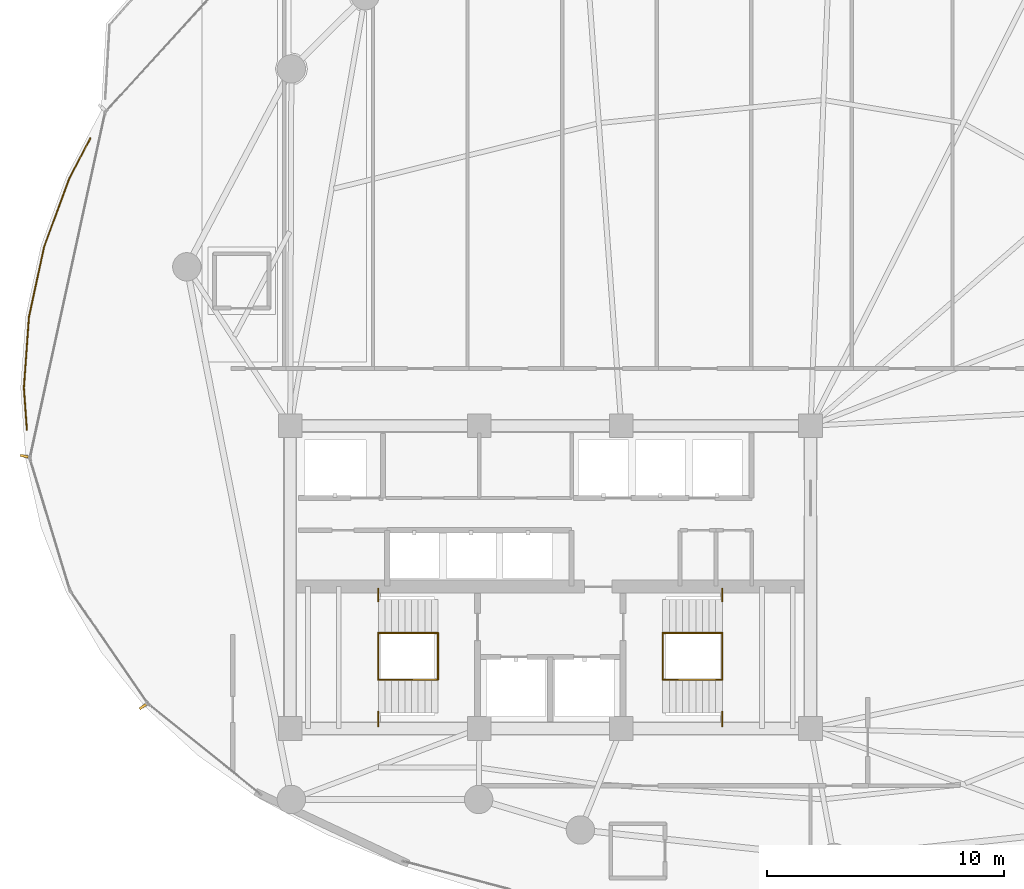
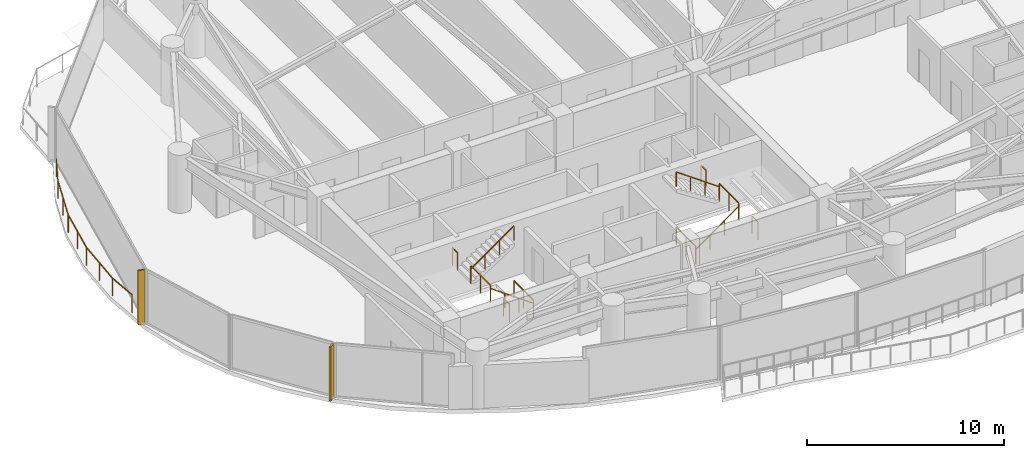
# One storey, part 31 of 34: 13 railings, 2 shading devices.
"""IFC4 building model written with IfcOpenShell, lengths in metres."""

from ifc_helpers import new_model, si_unit, direction, frame, origin, origin_2d, place, context, subcontext, project, spatial, rectangle, extrude, material, type_object, element, save


model = new_model("IFC4")

# Units and contexts
model_context = context("Model", 3, precision=1e-05, world=origin(), true_north=direction((0.0, 1.0)))
body_context = subcontext(model_context, "Body", "Model", "MODEL_VIEW")
ifc_project = project(units=[si_unit("LENGTHUNIT", "METRE"), si_unit("AREAUNIT", "SQUARE_METRE"), si_unit("VOLUMEUNIT", "CUBIC_METRE"), si_unit("PLANEANGLEUNIT", "RADIAN"), si_unit("MASSUNIT", "GRAM", prefix="KILO")], contexts=[model_context])

# Site, building, storey
site_placement = place(None, origin())
site = spatial("IfcSite", under=ifc_project, at=site_placement, CompositionType="ELEMENT")
building_placement = place(site_placement, origin())
building = spatial("IfcBuilding", under=site, at=building_placement, Name="Kazevale Care Tower and Concert Hall", CompositionType="ELEMENT")
storey_placement = place(building_placement, frame((0.0, 0.0, 160.199951171875)))
storey = spatial("IfcBuildingStorey", under=building, at=storey_placement, Name="L42", CompositionType="ELEMENT", Elevation=160.199951171875)

# Railings
ifc_material_1 = material(Name="Anodised Bronze Aluminium and Laminated Glass", Category="aluminium")
railing_type_1 = type_object("IfcRailingType", Name="Balcony and Terrace Balustrade 1120", PredefinedType="BALUSTRADE", material=ifc_material_1)
railing_1_placement = place(storey_placement, frame((10.867919921875, 36.22705078125, 0.0)))
element("IfcRailing", 1, at=railing_1_placement, inside=storey, type_object=railing_type_1, Name="rail:L42:perim:1", PredefinedType="BALUSTRADE", context=body_context, shape_type="SweptSolid", body=[
    extrude(rectangle(XDim=0.048095703125, YDim=0.048095703125, at=origin_2d()), frame((0.0, 0.0, 1.09619140625), z_axis=(-0.071969318028, 0.997406846409, 0.0), x_axis=(-0.997406846409, -0.071969318028, 0.0)), (0.0, 0.0, 1.0), 1.777587890625),
    extrude(rectangle(XDim=0.048095703125, YDim=0.048095703125, at=origin_2d()), frame((-0.1279296875, 1.77294921875, 1.09619140625), z_axis=(0.071442989214, 0.997444684828, 0.0), x_axis=(-0.997444684828, 0.071442989214, 0.0)), (0.0, 0.0, 1.0), 3.0107421875),
    extrude(rectangle(XDim=0.048095703125, YDim=0.048095703125, at=origin_2d()), frame((0.087158203125, 4.77587890625, 1.09619140625), z_axis=(0.211501042265, 0.97737777196, 0.0), x_axis=(-0.97737777196, 0.211501042265, 0.0)), (0.0, 0.0, 1.0), 3.03466796875),
    extrude(rectangle(XDim=0.048095703125, YDim=0.048095703125, at=origin_2d()), frame((0.72900390625, 7.741943359375, 1.09619140625), z_axis=(0.344808910619, 0.938672901046, 0.0), x_axis=(-0.938672901046, 0.344808910619, 0.0)), (0.0, 0.0, 1.0), 3.080078125),
    extrude(rectangle(XDim=0.048095703125, YDim=0.048095703125, at=origin_2d()), frame((1.791015625, 10.633056640625, 1.09619140625), z_axis=(0.466764151967, 0.884381832942, 0.0), x_axis=(-0.884381832942, 0.466764151967, 0.0)), (0.0, 0.0, 1.0), 1.91748046875),
    extrude(rectangle(XDim=0.0419921875, YDim=0.0419921875, at=origin_2d()), origin(), (0.0, 0.0, 1.0), 1.072021484375),
    extrude(rectangle(XDim=0.0419921875, YDim=0.0419921875, at=origin_2d()), frame((-0.1279296875, 1.77294921875, 0.0)), (0.0, 0.0, 1.0), 1.072021484375),
    extrude(rectangle(XDim=0.0419921875, YDim=0.0419921875, at=origin_2d()), frame((-0.0205078125, 3.2744140625, 0.0)), (0.0, 0.0, 1.0), 1.072021484375),
    extrude(rectangle(XDim=0.0419921875, YDim=0.0419921875, at=origin_2d()), frame((0.087158203125, 4.77587890625, 0.0)), (0.0, 0.0, 1.0), 1.072021484375),
    extrude(rectangle(XDim=0.0419921875, YDim=0.0419921875, at=origin_2d()), frame((0.408203125, 6.2587890625, 0.0)), (0.0, 0.0, 1.0), 1.072021484375),
    extrude(rectangle(XDim=0.0419921875, YDim=0.0419921875, at=origin_2d()), frame((0.72900390625, 7.741943359375, 0.0)), (0.0, 0.0, 1.0), 1.072021484375),
    extrude(rectangle(XDim=0.0419921875, YDim=0.0419921875, at=origin_2d()), frame((1.260009765625, 9.1875, 0.0)), (0.0, 0.0, 1.0), 1.072021484375),
    extrude(rectangle(XDim=0.0419921875, YDim=0.0419921875, at=origin_2d()), frame((1.791015625, 10.633056640625, 0.0)), (0.0, 0.0, 1.0), 1.072021484375),
    extrude(rectangle(XDim=0.0419921875, YDim=0.0419921875, at=origin_2d()), frame((2.68603515625, 12.328857421875, 0.0)), (0.0, 0.0, 1.0), 1.072021484375),
])
ifc_material_2 = material(Name="Stainless Steel 316", Category="steel")
railing_type_2 = type_object("IfcRailingType", Name="Stair Pitch Handrail 920", PredefinedType="HANDRAIL", material=ifc_material_2)
railing_2_placement = place(storey_placement, frame((28.25, 25.659912109375, 0.0)))
element("IfcRailing", 2, at=railing_2_placement, inside=storey, type_object=railing_type_2, Name="stair:L42:ST1:hr1", PredefinedType="HANDRAIL", context=body_context, shape_type="SweptSolid", body=[
    extrude(rectangle(XDim=0.048095703125, YDim=0.048095703125, at=origin_2d()), frame((0.0, 0.0, 0.89599609375), z_axis=(-0.813728144527, 0.0, 0.581245650998), x_axis=(0.0, -1.0, 0.0)), (0.0, 0.0, 1.0), 3.096923828125),
    extrude(rectangle(XDim=0.0419921875, YDim=0.0419921875, at=origin_2d()), origin(), (0.0, 0.0, 1.0), 0.871826171875),
    extrude(rectangle(XDim=0.0419921875, YDim=0.0419921875, at=origin_2d()), frame((-0.840087890625, 0.0, 0.60009765625)), (0.0, 0.0, 1.0), 0.871826171875),
    extrude(rectangle(XDim=0.0419921875, YDim=0.0419921875, at=origin_2d()), frame((-1.679931640625, 0.0, 1.199951171875)), (0.0, 0.0, 1.0), 0.871826171875),
    extrude(rectangle(XDim=0.0419921875, YDim=0.0419921875, at=origin_2d()), frame((-2.52001953125, 0.0, 1.800048828125)), (0.0, 0.0, 1.0), 0.871826171875),
])
for number, where, name in (
    (3, (25.72998046875, 27.639892578125, 1.800048828125), "stair:L42:ST1:hr2"),
    (4, (37.75, 25.659912109375, 0.0), "stair:L42:ST2:hr1"),
):
    element("IfcRailing", number, at=place(storey_placement, frame(where)), inside=storey, type_object=railing_type_2, Name=name, PredefinedType="HANDRAIL", context=body_context, shape_type="SweptSolid", body=[
        extrude(rectangle(XDim=0.048095703125, YDim=0.048095703125, at=origin_2d()), frame((0.0, 0.0, 0.89599609375), z_axis=(0.813728144527, 0.0, 0.581245650998), x_axis=(0.0, 1.0, 0.0)), (0.0, 0.0, 1.0), 3.096923828125),
        extrude(rectangle(XDim=0.0419921875, YDim=0.0419921875, at=origin_2d()), origin(), (0.0, 0.0, 1.0), 0.871826171875),
        extrude(rectangle(XDim=0.0419921875, YDim=0.0419921875, at=origin_2d()), frame((0.840087890625, 0.0, 0.60009765625)), (0.0, 0.0, 1.0), 0.871826171875),
        extrude(rectangle(XDim=0.0419921875, YDim=0.0419921875, at=origin_2d()), frame((1.679931640625, 0.0, 1.199951171875)), (0.0, 0.0, 1.0), 0.871826171875),
        extrude(rectangle(XDim=0.0419921875, YDim=0.0419921875, at=origin_2d()), frame((2.52001953125, 0.0, 1.800048828125)), (0.0, 0.0, 1.0), 0.871826171875),
    ])
railing_3_placement = place(storey_placement, frame((40.27001953125, 27.639892578125, 1.800048828125)))
element("IfcRailing", 5, at=railing_3_placement, inside=storey, type_object=railing_type_2, Name="stair:L42:ST2:hr2", PredefinedType="HANDRAIL", context=body_context, shape_type="SweptSolid", body=[
    extrude(rectangle(XDim=0.048095703125, YDim=0.048095703125, at=origin_2d()), frame((0.0, 0.0, 0.89599609375), z_axis=(-0.813728144527, 0.0, 0.581245650998), x_axis=(0.0, -1.0, 0.0)), (0.0, 0.0, 1.0), 3.096923828125),
    extrude(rectangle(XDim=0.0419921875, YDim=0.0419921875, at=origin_2d()), origin(), (0.0, 0.0, 1.0), 0.871826171875),
    extrude(rectangle(XDim=0.0419921875, YDim=0.0419921875, at=origin_2d()), frame((-0.840087890625, 0.0, 0.60009765625)), (0.0, 0.0, 1.0), 0.871826171875),
    extrude(rectangle(XDim=0.0419921875, YDim=0.0419921875, at=origin_2d()), frame((-1.679931640625, 0.0, 1.199951171875)), (0.0, 0.0, 1.0), 0.871826171875),
    extrude(rectangle(XDim=0.0419921875, YDim=0.0419921875, at=origin_2d()), frame((-2.52001953125, 0.0, 1.800048828125)), (0.0, 0.0, 1.0), 0.871826171875),
])
railing_type_3 = type_object("IfcRailingType", Name="Stair Well Guard Balustrade 1120", PredefinedType="BALUSTRADE", material=ifc_material_2)
railing_4_placement = place(storey_placement, frame((25.72998046875, 23.699951171875, 1.800048828125)))
element("IfcRailing", 6, at=railing_4_placement, inside=storey, type_object=railing_type_3, Name="stair:L42:ST1:grd_side1", PredefinedType="BALUSTRADE", context=body_context, shape_type="SweptSolid", body=[
    extrude(rectangle(XDim=0.048095703125, YDim=0.048095703125, at=origin_2d()), frame((0.0, 0.0, 1.09619140625), z_axis=(0.0, 1.0, 0.0), x_axis=(-1.0, 0.0, 0.0)), (0.0, 0.0, 1.0), 0.610107421875),
    extrude(rectangle(XDim=0.0419921875, YDim=0.0419921875, at=origin_2d()), origin(), (0.0, 0.0, 1.0), 1.072021484375),
    extrude(rectangle(XDim=0.0419921875, YDim=0.0419921875, at=origin_2d()), frame((0.0, 0.610107421875, 0.0)), (0.0, 0.0, 1.0), 1.072021484375),
])
railing_5_placement = place(storey_placement, frame((25.72998046875, 28.989990234375, 1.800048828125)))
element("IfcRailing", 7, at=railing_5_placement, inside=storey, type_object=railing_type_3, Name="stair:L42:ST1:grd_side2", PredefinedType="BALUSTRADE", context=body_context, shape_type="SweptSolid", body=[
    extrude(rectangle(XDim=0.048095703125, YDim=0.048095703125, at=origin_2d()), frame((0.0, 0.0, 1.09619140625), z_axis=(0.0, 1.0, 0.0), x_axis=(-1.0, 0.0, 0.0)), (0.0, 0.0, 1.0), 0.510009765625),
    extrude(rectangle(XDim=0.0419921875, YDim=0.0419921875, at=origin_2d()), origin(), (0.0, 0.0, 1.0), 1.072021484375),
    extrude(rectangle(XDim=0.0419921875, YDim=0.0419921875, at=origin_2d()), frame((0.0, 0.510009765625, 0.0)), (0.0, 0.0, 1.0), 1.072021484375),
])
for number, where, name in (
    (8, (25.72998046875, 25.659912109375, 1.800048828125), "stair:L42:ST1:grd_mid"),
    (9, (28.25, 25.659912109375, 0.0), "stair:L42:ST1:grd_flr"),
):
    element("IfcRailing", number, at=place(storey_placement, frame(where)), inside=storey, type_object=railing_type_3, Name=name, PredefinedType="BALUSTRADE", context=body_context, shape_type="SweptSolid", body=[
        extrude(rectangle(XDim=0.048095703125, YDim=0.048095703125, at=origin_2d()), frame((0.0, 0.0, 1.09619140625), z_axis=(0.0, 1.0, 0.0), x_axis=(-1.0, 0.0, 0.0)), (0.0, 0.0, 1.0), 1.97998046875),
        extrude(rectangle(XDim=0.0419921875, YDim=0.0419921875, at=origin_2d()), origin(), (0.0, 0.0, 1.0), 1.072021484375),
        extrude(rectangle(XDim=0.0419921875, YDim=0.0419921875, at=origin_2d()), frame((0.0, 0.989990234375, 0.0)), (0.0, 0.0, 1.0), 1.072021484375),
        extrude(rectangle(XDim=0.0419921875, YDim=0.0419921875, at=origin_2d()), frame((0.0, 1.97998046875, 0.0)), (0.0, 0.0, 1.0), 1.072021484375),
    ])
railing_6_placement = place(storey_placement, frame((40.27001953125, 23.699951171875, 1.800048828125)))
element("IfcRailing", 10, at=railing_6_placement, inside=storey, type_object=railing_type_3, Name="stair:L42:ST2:grd_side1", PredefinedType="BALUSTRADE", context=body_context, shape_type="SweptSolid", body=[
    extrude(rectangle(XDim=0.048095703125, YDim=0.048095703125, at=origin_2d()), frame((0.0, 0.0, 1.09619140625), z_axis=(0.0, 1.0, 0.0), x_axis=(-1.0, 0.0, 0.0)), (0.0, 0.0, 1.0), 0.610107421875),
    extrude(rectangle(XDim=0.0419921875, YDim=0.0419921875, at=origin_2d()), origin(), (0.0, 0.0, 1.0), 1.072021484375),
    extrude(rectangle(XDim=0.0419921875, YDim=0.0419921875, at=origin_2d()), frame((0.0, 0.610107421875, 0.0)), (0.0, 0.0, 1.0), 1.072021484375),
])
railing_7_placement = place(storey_placement, frame((40.27001953125, 28.989990234375, 1.800048828125)))
element("IfcRailing", 11, at=railing_7_placement, inside=storey, type_object=railing_type_3, Name="stair:L42:ST2:grd_side2", PredefinedType="BALUSTRADE", context=body_context, shape_type="SweptSolid", body=[
    extrude(rectangle(XDim=0.048095703125, YDim=0.048095703125, at=origin_2d()), frame((0.0, 0.0, 1.09619140625), z_axis=(0.0, 1.0, 0.0), x_axis=(-1.0, 0.0, 0.0)), (0.0, 0.0, 1.0), 0.510009765625),
    extrude(rectangle(XDim=0.0419921875, YDim=0.0419921875, at=origin_2d()), origin(), (0.0, 0.0, 1.0), 1.072021484375),
    extrude(rectangle(XDim=0.0419921875, YDim=0.0419921875, at=origin_2d()), frame((0.0, 0.510009765625, 0.0)), (0.0, 0.0, 1.0), 1.072021484375),
])
for number, where, name in (
    (12, (40.27001953125, 25.659912109375, 1.800048828125), "stair:L42:ST2:grd_mid"),
    (13, (37.75, 25.659912109375, 0.0), "stair:L42:ST2:grd_flr"),
):
    element("IfcRailing", number, at=place(storey_placement, frame(where)), inside=storey, type_object=railing_type_3, Name=name, PredefinedType="BALUSTRADE", context=body_context, shape_type="SweptSolid", body=[
        extrude(rectangle(XDim=0.048095703125, YDim=0.048095703125, at=origin_2d()), frame((0.0, 0.0, 1.09619140625), z_axis=(0.0, 1.0, 0.0), x_axis=(-1.0, 0.0, 0.0)), (0.0, 0.0, 1.0), 1.97998046875),
        extrude(rectangle(XDim=0.0419921875, YDim=0.0419921875, at=origin_2d()), origin(), (0.0, 0.0, 1.0), 1.072021484375),
        extrude(rectangle(XDim=0.0419921875, YDim=0.0419921875, at=origin_2d()), frame((0.0, 0.989990234375, 0.0)), (0.0, 0.0, 1.0), 1.072021484375),
        extrude(rectangle(XDim=0.0419921875, YDim=0.0419921875, at=origin_2d()), frame((0.0, 1.97998046875, 0.0)), (0.0, 0.0, 1.0), 1.072021484375),
    ])

# Shading devices
ifc_material_3 = material(Name="Anodised Bronze Aluminium", Category="aluminium")
shading_device_type = type_object("IfcShadingDeviceType", Name="Waist Anodised Bronze-Stone Fin FIN-02", PredefinedType="USERDEFINED", material=ifc_material_3)
for number, where, z_axis, x_axis, name in (
    (14, (15.7705078125, 24.525634765625, 0.0), (0.0, 0.0, 1.0), (-0.823334533242, -0.567556381667, 0.0), "cw:L42:f11:fin"),
    (15, (10.75341796875, 35.11767578125, 0.0), (0.0, 0.0, 1.0), (-0.97708274037, 0.212859856409, 0.0), "cw:L42:f13:fin"),
):
    element("IfcShadingDevice", number, at=place(storey_placement, frame(where, z_axis=z_axis, x_axis=x_axis)), inside=storey, type_object=shading_device_type, Name=name, ObjectType="FIN", PredefinedType="USERDEFINED", context=body_context, shape_type="SweptSolid", body=[
        extrude(rectangle(XDim=0.340087890625, YDim=0.10009765625, at=origin_2d()), origin(), (0.0, 0.0, 1.0), 3.360107421875),
    ])

save(model, "model.ifc")
